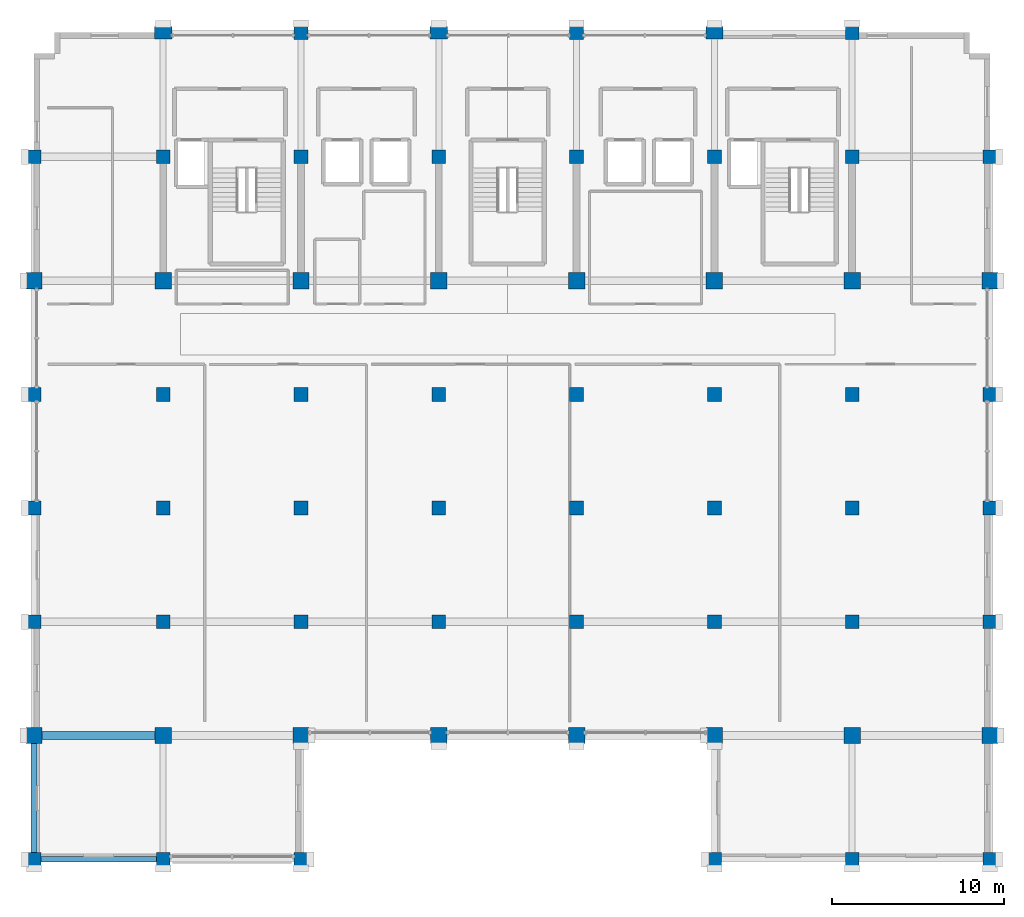
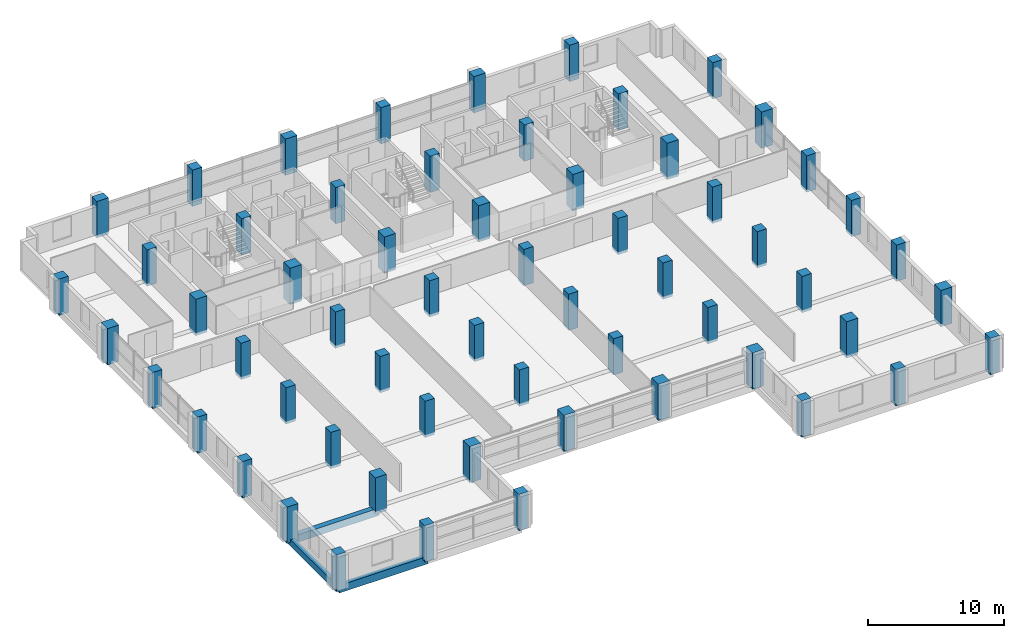
# One storey, part 1 of 23: 60 columns, 3 beams.
"""IFC4 building model written with IfcOpenShell, lengths in metres."""

from ifc_helpers import new_model, si_unit, direction, frame, origin, origin_2d, place, context, subcontext, project, spatial, rectangle, extrude, material, material_profile, profile_set, type_object, element, save


model = new_model("IFC4")

# Units and contexts
model_context = context("Model", 3, precision=1e-05, world=origin(), true_north=direction((0.0, 1.0)))
body_context = subcontext(model_context, "Body", "Model", "MODEL_VIEW")
ifc_project = project(units=[si_unit("LENGTHUNIT", "METRE"), si_unit("AREAUNIT", "SQUARE_METRE"), si_unit("VOLUMEUNIT", "CUBIC_METRE"), si_unit("PLANEANGLEUNIT", "RADIAN"), si_unit("MASSUNIT", "GRAM", prefix="KILO")], contexts=[model_context])

# Site, building, storey
site_placement = place(None, origin())
site = spatial("IfcSite", under=ifc_project, at=site_placement, CompositionType="ELEMENT")
building_placement = place(site_placement, origin())
building = spatial("IfcBuilding", under=site, at=building_placement, Name="Akrevak Sports Hall", CompositionType="ELEMENT")
storey_placement = place(building_placement, frame((0.0, 0.0, 43.800048828125)))
storey = spatial("IfcBuildingStorey", under=building, at=storey_placement, Name="L10", CompositionType="ELEMENT", Elevation=43.800048828125)

# Columns
ifc_material_1 = material(Name="Concrete C50/60", Category="concrete")
ifc_material_profile_1 = material_profile(ifc_material_1, rectangle(XDim=1.0, YDim=0.75, at=origin_2d()), Name="RC 1000x750", Category="concrete")
ifc_profile_set_1 = profile_set([ifc_material_profile_1], Name="Concrete C50/60")
column_type_1 = type_object("IfcColumnType", Name="STR-COL-RC1000x750", PredefinedType="COLUMN", material=ifc_profile_set_1)
for number, where, z_axis, x_axis, name in (
    (1, (60.0, 69.60009765625, -0.239990234375), (0.0, 0.0, 1.0), (1.0, 0.0, 0.0), "Column 9/K (L10)"),
    (2, (76.0, 69.60009765625, -0.239990234375), (0.0, 0.0, 1.0), (1.0, 0.0, 0.0), "Column 11/K (L10)"),
    (3, (92.0, 69.60009765625, -0.239990234375), (0.0, 0.0, 1.0), (1.0, 0.0, 0.0), "Column 13/K (L10)"),
):
    element("IfcColumn", number, at=place(storey_placement, frame(where, z_axis=z_axis, x_axis=x_axis)), inside=storey, type_object=column_type_1, Name=name, PredefinedType="COLUMN", context=body_context, shape_type="SweptSolid", body=[
        extrude(rectangle(XDim=1.0, YDim=0.75, at=origin_2d()), origin(), (0.0, 0.0, 1.0), 3.260009765625),
    ])
ifc_material_2 = material(Name="Concrete C40/50", Category="concrete")
ifc_material_profile_2 = material_profile(ifc_material_2, rectangle(XDim=0.800048828125, YDim=0.800048828125, at=origin_2d()), Name="RC 800x800", Category="concrete")
ifc_profile_set_2 = profile_set([ifc_material_profile_2], Name="Concrete C40/50")
column_type_2 = type_object("IfcColumnType", Name="STR-COL-RC800", PredefinedType="COLUMN", material=ifc_profile_set_2)
for number, where, z_axis, x_axis, name in (
    (4, (52.5, 21.60009765625, -0.239990234375), (0.0, 0.0, 1.0), (1.0, 0.0, 0.0), "Column 8/D (L10)"),
    (5, (52.5, 35.39990234375, -0.239990234375), (0.0, 0.0, 1.0), (1.0, 0.0, 0.0), "Column 8/F (L10)"),
    (6, (52.5, 42.0, -0.239990234375), (0.0, 0.0, 1.0), (1.0, 0.0, 0.0), "Column 8/G (L10)"),
    (7, (52.5, 48.60009765625, -0.239990234375), (0.0, 0.0, 1.0), (1.0, 0.0, 0.0), "Column 8/H (L10)"),
    (8, (52.5, 62.39990234375, -0.239990234375), (0.0, 0.0, 1.0), (1.0, 0.0, 0.0), "Column 8/J (L10)"),
    (9, (60.0, 21.60009765625, -0.239990234375), (0.0, 0.0, 1.0), (1.0, 0.0, 0.0), "Column 9/D (L10)"),
    (10, (60.0, 35.39990234375, -0.239990234375), (0.0, 0.0, 1.0), (1.0, 0.0, 0.0), "Column 9/F (L10)"),
    (11, (60.0, 42.0, -0.239990234375), (0.0, 0.0, 1.0), (1.0, 0.0, 0.0), "Column 9/G (L10)"),
    (12, (60.0, 48.60009765625, -0.239990234375), (0.0, 0.0, 1.0), (1.0, 0.0, 0.0), "Column 9/H (L10)"),
    (13, (60.0, 62.39990234375, -0.239990234375), (0.0, 0.0, 1.0), (1.0, 0.0, 0.0), "Column 9/J (L10)"),
    (14, (68.0, 21.60009765625, -0.239990234375), (0.0, 0.0, 1.0), (1.0, 0.0, 0.0), "Column 10/D (L10)"),
    (15, (68.0, 35.39990234375, -0.239990234375), (0.0, 0.0, 1.0), (1.0, 0.0, 0.0), "Column 10/F (L10)"),
    (16, (68.0, 42.0, -0.239990234375), (0.0, 0.0, 1.0), (1.0, 0.0, 0.0), "Column 10/G (L10)"),
    (17, (68.0, 48.60009765625, -0.239990234375), (0.0, 0.0, 1.0), (1.0, 0.0, 0.0), "Column 10/H (L10)"),
    (18, (68.0, 62.39990234375, -0.239990234375), (0.0, 0.0, 1.0), (1.0, 0.0, 0.0), "Column 10/J (L10)"),
    (19, (68.0, 69.60009765625, -0.239990234375), (0.0, 0.0, 1.0), (1.0, 0.0, 0.0), "Column 10/K (L10)"),
    (20, (76.0, 35.39990234375, -0.239990234375), (0.0, 0.0, 1.0), (1.0, 0.0, 0.0), "Column 11/F (L10)"),
    (21, (76.0, 42.0, -0.239990234375), (0.0, 0.0, 1.0), (1.0, 0.0, 0.0), "Column 11/G (L10)"),
    (22, (76.0, 48.60009765625, -0.239990234375), (0.0, 0.0, 1.0), (1.0, 0.0, 0.0), "Column 11/H (L10)"),
    (23, (76.0, 62.39990234375, -0.239990234375), (0.0, 0.0, 1.0), (1.0, 0.0, 0.0), "Column 11/J (L10)"),
    (24, (84.0, 35.39990234375, -0.239990234375), (0.0, 0.0, 1.0), (1.0, 0.0, 0.0), "Column 12/F (L10)"),
    (25, (84.0, 42.0, -0.239990234375), (0.0, 0.0, 1.0), (1.0, 0.0, 0.0), "Column 12/G (L10)"),
    (26, (84.0, 48.60009765625, -0.239990234375), (0.0, 0.0, 1.0), (1.0, 0.0, 0.0), "Column 12/H (L10)"),
    (27, (84.0, 62.39990234375, -0.239990234375), (0.0, 0.0, 1.0), (1.0, 0.0, 0.0), "Column 12/J (L10)"),
    (28, (84.0, 69.60009765625, -0.239990234375), (0.0, 0.0, 1.0), (1.0, 0.0, 0.0), "Column 12/K (L10)"),
    (29, (92.0, 21.60009765625, -0.239990234375), (0.0, 0.0, 1.0), (1.0, 0.0, 0.0), "Column 13/D (L10)"),
    (30, (92.0, 35.39990234375, -0.239990234375), (0.0, 0.0, 1.0), (1.0, 0.0, 0.0), "Column 13/F (L10)"),
    (31, (92.0, 42.0, -0.239990234375), (0.0, 0.0, 1.0), (1.0, 0.0, 0.0), "Column 13/G (L10)"),
    (32, (92.0, 48.60009765625, -0.239990234375), (0.0, 0.0, 1.0), (1.0, 0.0, 0.0), "Column 13/H (L10)"),
    (33, (92.0, 62.39990234375, -0.239990234375), (0.0, 0.0, 1.0), (1.0, 0.0, 0.0), "Column 13/J (L10)"),
    (34, (100.0, 21.60009765625, -0.239990234375), (0.0, 0.0, 1.0), (1.0, 0.0, 0.0), "Column 14/D (L10)"),
    (35, (100.0, 35.39990234375, -0.239990234375), (0.0, 0.0, 1.0), (1.0, 0.0, 0.0), "Column 14/F (L10)"),
    (36, (100.0, 42.0, -0.239990234375), (0.0, 0.0, 1.0), (1.0, 0.0, 0.0), "Column 14/G (L10)"),
    (37, (100.0, 48.60009765625, -0.239990234375), (0.0, 0.0, 1.0), (1.0, 0.0, 0.0), "Column 14/H (L10)"),
    (38, (100.0, 62.39990234375, -0.239990234375), (0.0, 0.0, 1.0), (1.0, 0.0, 0.0), "Column 14/J (L10)"),
    (39, (100.0, 69.60009765625, -0.239990234375), (0.0, 0.0, 1.0), (1.0, 0.0, 0.0), "Column 14/K (L10)"),
    (40, (108.0, 21.60009765625, -0.239990234375), (0.0, 0.0, 1.0), (1.0, 0.0, 0.0), "Column 15/D (L10)"),
    (41, (108.0, 35.39990234375, -0.239990234375), (0.0, 0.0, 1.0), (1.0, 0.0, 0.0), "Column 15/F (L10)"),
    (42, (108.0, 42.0, -0.239990234375), (0.0, 0.0, 1.0), (1.0, 0.0, 0.0), "Column 15/G (L10)"),
    (43, (108.0, 48.60009765625, -0.239990234375), (0.0, 0.0, 1.0), (1.0, 0.0, 0.0), "Column 15/H (L10)"),
    (44, (108.0, 62.39990234375, -0.239990234375), (0.0, 0.0, 1.0), (1.0, 0.0, 0.0), "Column 15/J (L10)"),
):
    element("IfcColumn", number, at=place(storey_placement, frame(where, z_axis=z_axis, x_axis=x_axis)), inside=storey, type_object=column_type_2, Name=name, PredefinedType="COLUMN", context=body_context, shape_type="SweptSolid", body=[
        extrude(rectangle(XDim=0.800048828125, YDim=0.800048828125, at=origin_2d()), origin(), (0.0, 0.0, 1.0), 3.260009765625),
    ])
ifc_material_profile_3 = material_profile(ifc_material_1, rectangle(XDim=0.949951171875, YDim=0.949951171875, at=origin_2d()), Name="RC 950x950", Category="concrete")
ifc_profile_set_3 = profile_set([ifc_material_profile_3], Name="Concrete C50/60")
column_type_3 = type_object("IfcColumnType", Name="STR-COL-RC950", PredefinedType="COLUMN", material=ifc_profile_set_3)
for number, where, z_axis, x_axis, name in (
    (45, (52.5, 28.800048828125, -0.239990234375), (0.0, 0.0, 1.0), (1.0, 0.0, 0.0), "Column 8/E (L10)"),
    (46, (52.5, 55.199951171875, -0.239990234375), (0.0, 0.0, 1.0), (1.0, 0.0, 0.0), "Column 8/I (L10)"),
    (47, (60.0, 28.800048828125, -0.239990234375), (0.0, 0.0, 1.0), (1.0, 0.0, 0.0), "Column 9/E (L10)"),
    (48, (60.0, 55.199951171875, -0.239990234375), (0.0, 0.0, 1.0), (1.0, 0.0, 0.0), "Column 9/I (L10)"),
    (49, (68.0, 28.800048828125, -0.239990234375), (0.0, 0.0, 1.0), (1.0, 0.0, 0.0), "Column 10/E (L10)"),
    (50, (68.0, 55.199951171875, -0.239990234375), (0.0, 0.0, 1.0), (1.0, 0.0, 0.0), "Column 10/I (L10)"),
    (51, (76.0, 28.800048828125, -0.239990234375), (0.0, 0.0, 1.0), (1.0, 0.0, 0.0), "Column 11/E (L10)"),
    (52, (76.0, 55.199951171875, -0.239990234375), (0.0, 0.0, 1.0), (1.0, 0.0, 0.0), "Column 11/I (L10)"),
    (53, (84.0, 28.800048828125, -0.239990234375), (0.0, 0.0, 1.0), (1.0, 0.0, 0.0), "Column 12/E (L10)"),
    (54, (84.0, 55.199951171875, -0.239990234375), (0.0, 0.0, 1.0), (1.0, 0.0, 0.0), "Column 12/I (L10)"),
    (55, (92.0, 28.800048828125, -0.239990234375), (0.0, 0.0, 1.0), (1.0, 0.0, 0.0), "Column 13/E (L10)"),
    (56, (92.0, 55.199951171875, -0.239990234375), (0.0, 0.0, 1.0), (1.0, 0.0, 0.0), "Column 13/I (L10)"),
    (57, (100.0, 28.800048828125, -0.239990234375), (0.0, 0.0, 1.0), (1.0, 0.0, 0.0), "Column 14/E (L10)"),
    (58, (100.0, 55.199951171875, -0.239990234375), (0.0, 0.0, 1.0), (1.0, 0.0, 0.0), "Column 14/I (L10)"),
    (59, (108.0, 28.800048828125, -0.239990234375), (0.0, 0.0, 1.0), (1.0, 0.0, 0.0), "Column 15/E (L10)"),
    (60, (108.0, 55.199951171875, -0.239990234375), (0.0, 0.0, 1.0), (1.0, 0.0, 0.0), "Column 15/I (L10)"),
):
    element("IfcColumn", number, at=place(storey_placement, frame(where, z_axis=z_axis, x_axis=x_axis)), inside=storey, type_object=column_type_3, Name=name, PredefinedType="COLUMN", context=body_context, shape_type="SweptSolid", body=[
        extrude(rectangle(XDim=0.949951171875, YDim=0.949951171875, at=origin_2d()), origin(), (0.0, 0.0, 1.0), 3.260009765625),
    ])

# Beams
ifc_material_profile_4 = material_profile(ifc_material_2, rectangle(XDim=0.35009765625, YDim=0.60009765625, at=origin_2d()), Name="BM 350x600", Category="concrete")
ifc_profile_set_4 = profile_set([ifc_material_profile_4], Name="Concrete C40/50")
beam_type_1 = type_object("IfcBeamType", Name="STR-BM-RC350x600", PredefinedType="BEAM", material=ifc_profile_set_4)
beam_1_placement = place(storey_placement, frame((52.5, 21.60009765625, -0.300048828125), z_axis=(0.0, 1.0, 0.0), x_axis=(-1.0, 0.0, 0.0)))
element("IfcBeam", 61, at=beam_1_placement, inside=storey, type_object=beam_type_1, Name="Girder 8/D-E (L10)", PredefinedType="BEAM", context=body_context, shape_type="SweptSolid", body=[
    extrude(rectangle(XDim=0.35009765625, YDim=0.60009765625, at=origin_2d()), origin(), (0.0, 0.0, 1.0), 7.199951171875),
])
ifc_material_profile_5 = material_profile(ifc_material_2, rectangle(XDim=0.449951171875, YDim=0.64990234375, at=origin_2d()), Name="BM 450x650", Category="concrete")
ifc_profile_set_5 = profile_set([ifc_material_profile_5], Name="Concrete C40/50")
beam_type_2 = type_object("IfcBeamType", Name="STR-BM-RC450x650", PredefinedType="BEAM", material=ifc_profile_set_5)
beam_2_placement = place(storey_placement, frame((52.5, 28.800048828125, -0.324951171875), z_axis=(1.0, 0.0, 0.0), x_axis=(0.0, 1.0, 0.0)))
element("IfcBeam", 62, at=beam_2_placement, inside=storey, type_object=beam_type_2, Name="Girder E/8-9 (L10)", PredefinedType="BEAM", context=body_context, shape_type="SweptSolid", body=[
    extrude(rectangle(XDim=0.449951171875, YDim=0.64990234375, at=origin_2d()), origin(), (0.0, 0.0, 1.0), 7.5),
])
ifc_material_profile_6 = material_profile(ifc_material_2, rectangle(XDim=0.320068359375, YDim=0.679931640625, at=origin_2d()), Name="SPD 320x680", Category="concrete")
ifc_profile_set_6 = profile_set([ifc_material_profile_6], Name="Concrete C40/50")
beam_type_3 = type_object("IfcBeamType", Name="STR-SPD-RC320x680", PredefinedType="SPANDREL", material=ifc_profile_set_6)
beam_3_placement = place(storey_placement, frame((52.5, 21.60009765625, -0.340087890625), z_axis=(1.0, 0.0, 0.0), x_axis=(0.0, 1.0, 0.0)))
element("IfcBeam", 63, at=beam_3_placement, inside=storey, type_object=beam_type_3, Name="Girder D/8-9 (L10)", PredefinedType="SPANDREL", context=body_context, shape_type="SweptSolid", body=[
    extrude(rectangle(XDim=0.320068359375, YDim=0.679931640625, at=origin_2d()), origin(), (0.0, 0.0, 1.0), 7.5),
])

save(model, "model.ifc")
